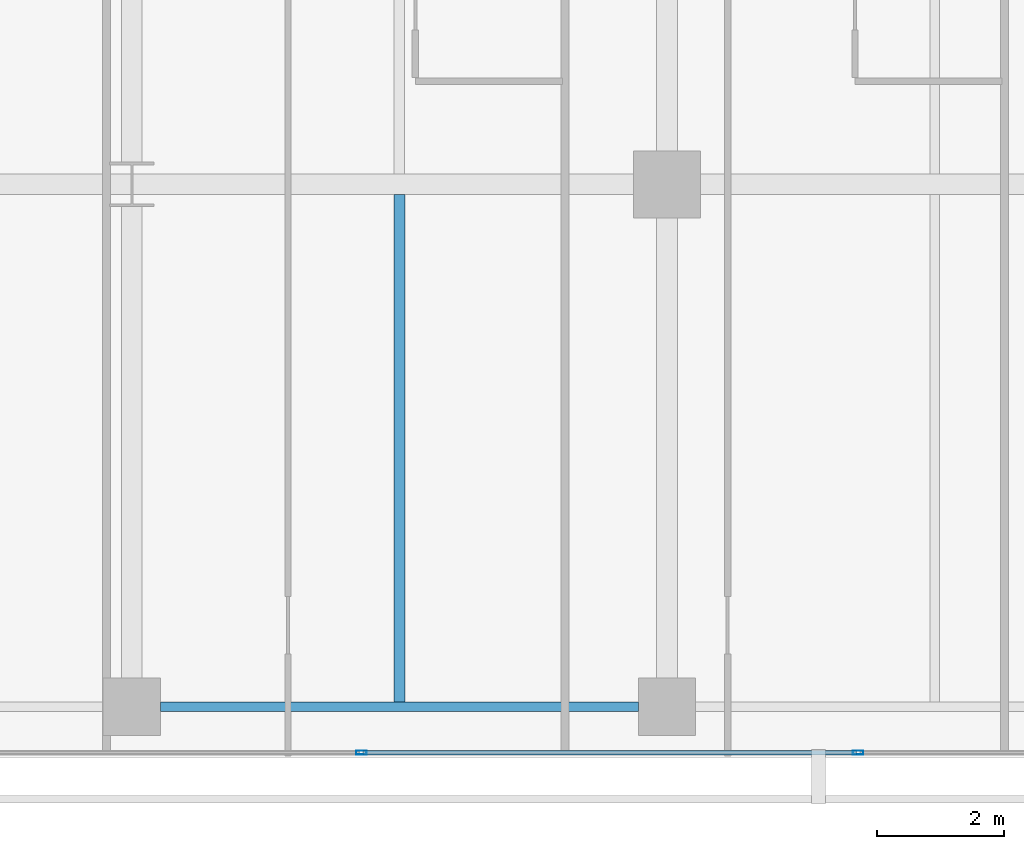
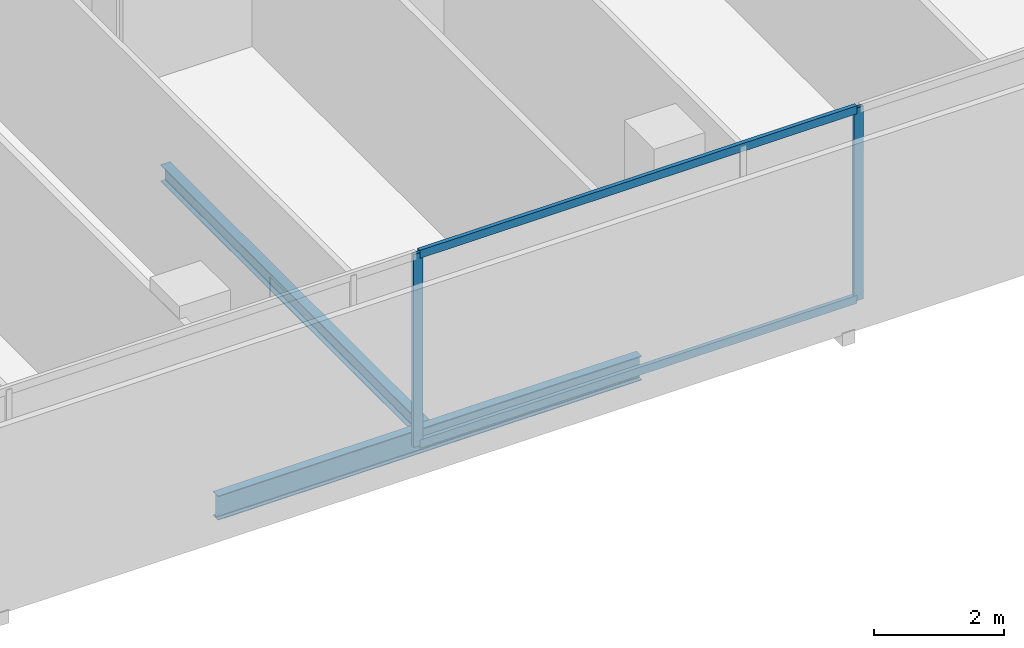
# One storey, part 14 of 41: 4 members, 2 beams, 1 element without a shape of its own.
"""IFC4 building model written with IfcOpenShell, lengths in metres."""

from ifc_helpers import new_model, si_unit, direction, frame, origin, origin_2d, place, context, subcontext, project, spatial, hollow_rectangle, i_section, extrude, material, layer, layer_set, material_profile, profile_set, type_object, element, aggregate, save


model = new_model("IFC4")

# Units and contexts
model_context = context("Model", 3, precision=1e-05, world=origin(), true_north=direction((0.0, 1.0)))
body_context = subcontext(model_context, "Body", "Model", "MODEL_VIEW")
ifc_project = project(units=[si_unit("LENGTHUNIT", "METRE"), si_unit("AREAUNIT", "SQUARE_METRE"), si_unit("VOLUMEUNIT", "CUBIC_METRE"), si_unit("PLANEANGLEUNIT", "RADIAN"), si_unit("MASSUNIT", "GRAM", prefix="KILO")], contexts=[model_context])

# Site, building, storey
site_placement = place(None, origin())
site = spatial("IfcSite", under=ifc_project, at=site_placement, CompositionType="ELEMENT")
building_placement = place(site_placement, origin())
building = spatial("IfcBuilding", under=site, at=building_placement, Name="Maruvema Waterfront Hotel and Observation Tower", CompositionType="ELEMENT")
storey_placement = place(building_placement, frame((0.0, 0.0, 84.699951171875)))
storey = spatial("IfcBuildingStorey", under=building, at=storey_placement, Name="L20", CompositionType="ELEMENT", Elevation=84.699951171875)

# Curtain wall, members
ifc_material_1 = material(Name="Anodised bronze aluminium and solar-control low-E IGU", Category="aluminium")
ifc_layer = layer(ifc_material_1, 0.159912109375, Name="Zone 1 Bronze Inner Thermal Curtain Wall System CW-02")
ifc_layer_set = layer_set([ifc_layer], Name="Anodised bronze aluminium and solar-control low-E IGU")
curtain_wall_type = type_object("IfcCurtainWallType", Name="Zone 1 Bronze Inner Thermal Curtain Wall System CW-02", PredefinedType="USERDEFINED", material=ifc_layer_set)
curtain_wall_placement = place(storey_placement, origin())
curtain_wall = element("IfcCurtainWall", 1, at=curtain_wall_placement, inside=storey, type_object=curtain_wall_type, Name="L20 Curtain Wall CW-L20-S", ObjectType="UNITISED CURTAIN WALL", PredefinedType="USERDEFINED")
ifc_material_2 = material(Name="Anodised architectural bronze aluminium", Category="aluminium")
ifc_material_profile_1 = material_profile(ifc_material_2, hollow_rectangle(XDim=0.070068359375, YDim=0.14990234375, WallThickness=0.00390625, at=origin_2d()), Name="ALU-T70x150")
ifc_profile_set_1 = profile_set([ifc_material_profile_1], Name="Anodised architectural bronze aluminium")
member_type_1 = type_object("IfcMemberType", Name="Curtain Wall Horizontal Transom ALU-T70x150", PredefinedType="USERDEFINED", material=ifc_profile_set_1)
member_1_placement = place(storey_placement, frame((45.6298828125, 0.080078125, 0.030029296875), z_axis=(1.0, 0.0, 0.0), x_axis=(0.0, 1.0, 0.0)))
member_1 = element("IfcMember", 2, at=member_1_placement, type_object=member_type_1, Name="CW-02 transom 5.1", ObjectType="TRANSOM", PredefinedType="USERDEFINED", context=body_context, shape_type="SweptSolid", body=[
    extrude(hollow_rectangle(XDim=0.070068359375, YDim=0.14990234375, WallThickness=0.00390625, at=origin_2d()), origin(), (0.0, 0.0, 1.0), 7.740234375),
])
member_2_placement = place(storey_placement, frame((45.6298828125, 0.080078125, 3.580078125), z_axis=(1.0, 0.0, 0.0), x_axis=(0.0, 1.0, 0.0)))
member_2 = element("IfcMember", 3, at=member_2_placement, type_object=member_type_1, Name="CW-02 transom 5.2", ObjectType="TRANSOM", PredefinedType="USERDEFINED", context=body_context, shape_type="SweptSolid", body=[
    extrude(hollow_rectangle(XDim=0.070068359375, YDim=0.14990234375, WallThickness=0.00390625, at=origin_2d()), origin(), (0.0, 0.0, 1.0), 7.740234375),
])
ifc_material_3 = material(Name="Anodised architectural bronze aluminium", Category="aluminium")
ifc_material_profile_2 = material_profile(ifc_material_3, hollow_rectangle(XDim=0.06494140625, YDim=0.1650390625, WallThickness=0.00390625, at=origin_2d()), Name="ALU-M65x165")
ifc_profile_set_2 = profile_set([ifc_material_profile_2], Name="Anodised architectural bronze aluminium")
member_type_2 = type_object("IfcMemberType", Name="Curtain Wall Primary Mullion ALU-M65x165", PredefinedType="MULLION", material=ifc_profile_set_2)
member_3_placement = place(storey_placement, frame((45.60009765625, 0.080078125, 0.0), z_axis=(0.0, 0.0, 1.0), x_axis=(0.0, 1.0, 0.0)))
member_3 = element("IfcMember", 4, at=member_3_placement, type_object=member_type_2, Name="CW-02 mullion 5", PredefinedType="MULLION", context=body_context, shape_type="SweptSolid", body=[
    extrude(hollow_rectangle(XDim=0.06494140625, YDim=0.1650390625, WallThickness=0.00390625, at=origin_2d()), origin(), (0.0, 0.0, 1.0), 3.610107421875),
])
member_4_placement = place(storey_placement, frame((53.39990234375, 0.080078125, 0.0), z_axis=(0.0, 0.0, 1.0), x_axis=(0.0, 1.0, 0.0)))
member_4 = element("IfcMember", 5, at=member_4_placement, type_object=member_type_2, Name="CW-02 mullion 6", PredefinedType="MULLION", context=body_context, shape_type="SweptSolid", body=[
    extrude(hollow_rectangle(XDim=0.06494140625, YDim=0.1650390625, WallThickness=0.00390625, at=origin_2d()), origin(), (0.0, 0.0, 1.0), 3.610107421875),
])
aggregate(curtain_wall, [member_3, member_4, member_1, member_2])

# Beams
ifc_material_4 = material(Name="Steel ASTM A572 Grade 50", Category="steel")
ifc_material_profile_3 = material_profile(ifc_material_4, i_section(OverallWidth=0.153076171875, OverallDepth=0.455078125, WebThickness=0.008056640625, FlangeThickness=0.01318359375, FilletRadius=0.014892578125, at=origin_2d()), Name="W460x60.0")
ifc_profile_set_3 = profile_set([ifc_material_profile_3], Name="Steel ASTM A572 Grade 50")
beam_type_1 = type_object("IfcBeamType", Name="Perimeter Spandrel Beam W460x60.0", PredefinedType="SPANDREL", material=ifc_profile_set_3)
beam_1_placement = place(storey_placement, frame((42.449951171875, 0.800048828125, -0.467529296875), z_axis=(1.0, 0.0, 0.0), x_axis=(0.0, 1.0, 0.0)))
element("IfcBeam", 6, at=beam_1_placement, inside=storey, type_object=beam_type_1, Name="L20 Floor Girder EW-04", PredefinedType="SPANDREL", context=body_context, shape_type="SweptSolid", body=[
    extrude(i_section(OverallWidth=0.153076171875, OverallDepth=0.455078125, WebThickness=0.008056640625, FlangeThickness=0.01318359375, FilletRadius=0.014892578125, at=origin_2d()), origin(), (0.0, 0.0, 1.0), 7.5),
])
ifc_material_5 = material(Name="Steel ASTM A572 Grade 50", Category="steel")
ifc_material_profile_4 = material_profile(ifc_material_5, i_section(OverallWidth=0.1669921875, OverallDepth=0.31689453125, WebThickness=0.007568359375, FlangeThickness=0.01318359375, FilletRadius=0.012939453125, at=origin_2d()), Name="W310x52.0")
ifc_profile_set_4 = profile_set([ifc_material_profile_4], Name="Steel ASTM A572 Grade 50")
beam_type_2 = type_object("IfcBeamType", Name="Secondary Floor Joist W310x52.0", PredefinedType="JOIST", material=ifc_profile_set_4)
beam_2_placement = place(storey_placement, frame((46.199951171875, 0.87646484375, -0.3984375), z_axis=(0.0, 1.0, 0.0), x_axis=(-1.0, 0.0, 0.0)))
element("IfcBeam", 7, at=beam_2_placement, inside=storey, type_object=beam_type_2, Name="L20 Secondary Floor Joist JS-14", PredefinedType="JOIST", context=body_context, shape_type="SweptSolid", body=[
    extrude(i_section(OverallWidth=0.1669921875, OverallDepth=0.31689453125, WebThickness=0.007568359375, FlangeThickness=0.01318359375, FilletRadius=0.012939453125, at=origin_2d()), origin(), (0.0, 0.0, 1.0), 7.96142578125),
])

save(model, "model.ifc")
